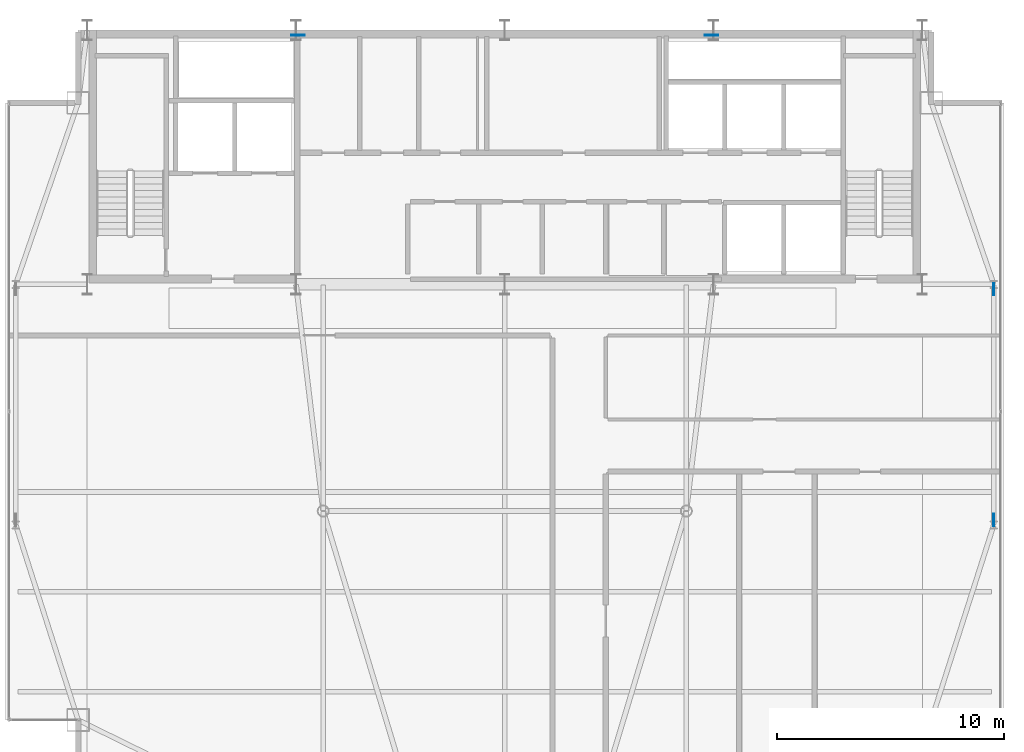
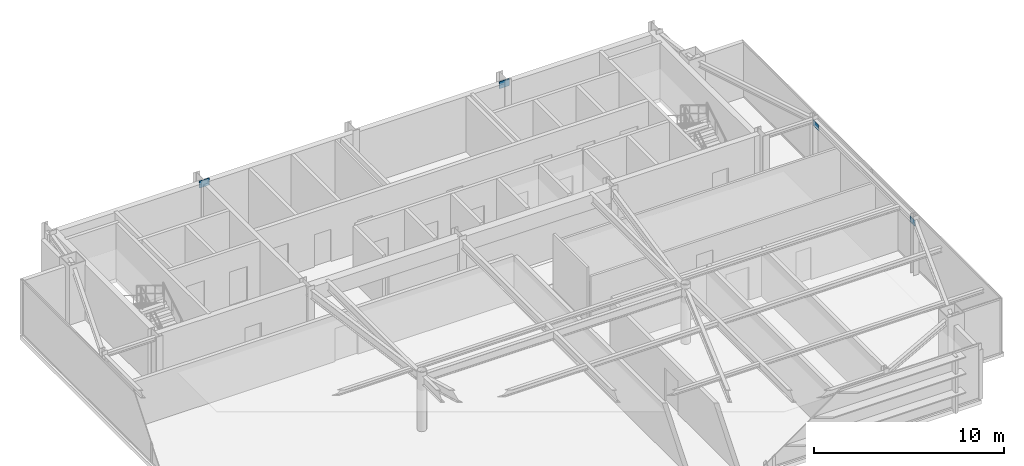
# One storey, part 20 of 24: 4 plates.
"""IFC4 building model written with IfcOpenShell, lengths in metres."""

from ifc_helpers import new_model, si_unit, direction, frame, origin, origin_2d, place, context, subcontext, project, spatial, rectangle, extrude, source, transform, mapped, material, layer, layer_set, type_object, type_shapes, element, save


model = new_model("IFC4")

# Units and contexts
model_context = context("Model", 3, precision=1e-05, world=origin(), true_north=direction((0.0, 1.0)))
body_context = subcontext(model_context, "Body", "Model", "MODEL_VIEW")
ifc_project = project(units=[si_unit("LENGTHUNIT", "METRE"), si_unit("AREAUNIT", "SQUARE_METRE"), si_unit("VOLUMEUNIT", "CUBIC_METRE"), si_unit("PLANEANGLEUNIT", "RADIAN"), si_unit("MASSUNIT", "GRAM", prefix="KILO")], contexts=[model_context])

# Site, building, storey
site_placement = place(None, origin())
site = spatial("IfcSite", under=ifc_project, at=site_placement, CompositionType="ELEMENT")
building_placement = place(site_placement, origin())
building = spatial("IfcBuilding", under=site, at=building_placement, Name="Varnel Quay Broadcast Tower", CompositionType="ELEMENT")
storey_placement = place(building_placement, frame((0.0, 0.0, 285.0)))
storey = spatial("IfcBuildingStorey", under=building, at=storey_placement, Name="L71", CompositionType="ELEMENT", Elevation=285.0)

# Plates
ifc_material = material(Name="Structural Steel CSA G40.21 350WT", Category="steel")
ifc_layer_1 = layer(ifc_material, 0.031982421875, Name="Structural Steel CSA G40.21 350WT")
ifc_layer_set_1 = layer_set([ifc_layer_1], Name="Structural Steel CSA G40.21 350WT")
plate_type_1 = type_object("IfcPlateType", Name="Plate_EndCap", PredefinedType="USERDEFINED", material=ifc_layer_set_1)
shared_shape_1 = source(origin(), body_context, "Body", "SweptSolid", [
    extrude(rectangle(XDim=0.5400390625, YDim=0.031982421875, at=origin_2d()), origin(), (0.0, 0.0, 1.0), 0.3798828125),
])
type_shapes(plate_type_1, [shared_shape_1])
for number, where, z_axis, x_axis, name in (
    (1, (55.550048828125, 35.3798828125, 3.0302734375), (0.0, 0.0, 1.0), (0.0, 1.0, 0.0), "Zone 5 Mega-Brace E-FT2 Diag A End Connection Plate P1"),
    (2, (55.550048828125, 25.22021484375, 3.0302734375), (0.0, 0.0, 1.0), (0.0, 1.0, 0.0), "Zone 5 Mega-Brace E-FT2 Diag B2 End Connection Plate P1"),
):
    element("IfcPlate", number, at=place(storey_placement, frame(where, z_axis=z_axis, x_axis=x_axis)), inside=storey, type_object=plate_type_1, Name=name, ObjectType="CAP_PLATE", PredefinedType="USERDEFINED", context=body_context, shape_type="MappedRepresentation", body=[
        mapped(shared_shape_1, transform((0.0, 0.0, 0.0), x_axis=(1.0, 0.0, 0.0), y_axis=(0.0, 1.0, 0.0), z_axis=(0.0, 0.0, 1.0), scale=1.0)),
    ])
ifc_layer_2 = layer(ifc_material, 0.0400390625, Name="Structural Steel CSA G40.21 350WT")
ifc_layer_set_2 = layer_set([ifc_layer_2], Name="Structural Steel CSA G40.21 350WT")
plate_type_2 = type_object("IfcPlateType", Name="Plate_EmbedPlate", PredefinedType="USERDEFINED", material=ifc_layer_set_2)
shared_shape_2 = source(origin(), body_context, "Body", "SweptSolid", [
    extrude(rectangle(XDim=0.60009765625, YDim=0.0400390625, at=origin_2d()), origin(), (0.0, 0.0, 1.0), 0.449951171875),
])
type_shapes(plate_type_2, [shared_shape_2])
for number, where, z_axis, x_axis, name in (
    (3, (43.106689453125, 46.580078125, 3.2294921875), (0.0, 0.0, 1.0), (1.0, 0.0, 0.0), "Zone 5 Mega-Brace N-CT2 Diag A Wall Cast-In Embed Plate P1"),
    (4, (24.893310546875, 46.580078125, 3.2294921875), (0.0, 0.0, 1.0), (1.0, 0.0, 0.0), "Zone 5 Mega-Brace N-CT2 Diag B2 Wall Cast-In Embed Plate P1"),
):
    element("IfcPlate", number, at=place(storey_placement, frame(where, z_axis=z_axis, x_axis=x_axis)), inside=storey, type_object=plate_type_2, Name=name, ObjectType="EMBED_PLATE", PredefinedType="USERDEFINED", context=body_context, shape_type="MappedRepresentation", body=[
        mapped(shared_shape_2, transform((0.0, 0.0, 0.0), x_axis=(1.0, 0.0, 0.0), y_axis=(0.0, 1.0, 0.0), z_axis=(0.0, 0.0, 1.0), scale=1.0)),
    ])

save(model, "model.ifc")
